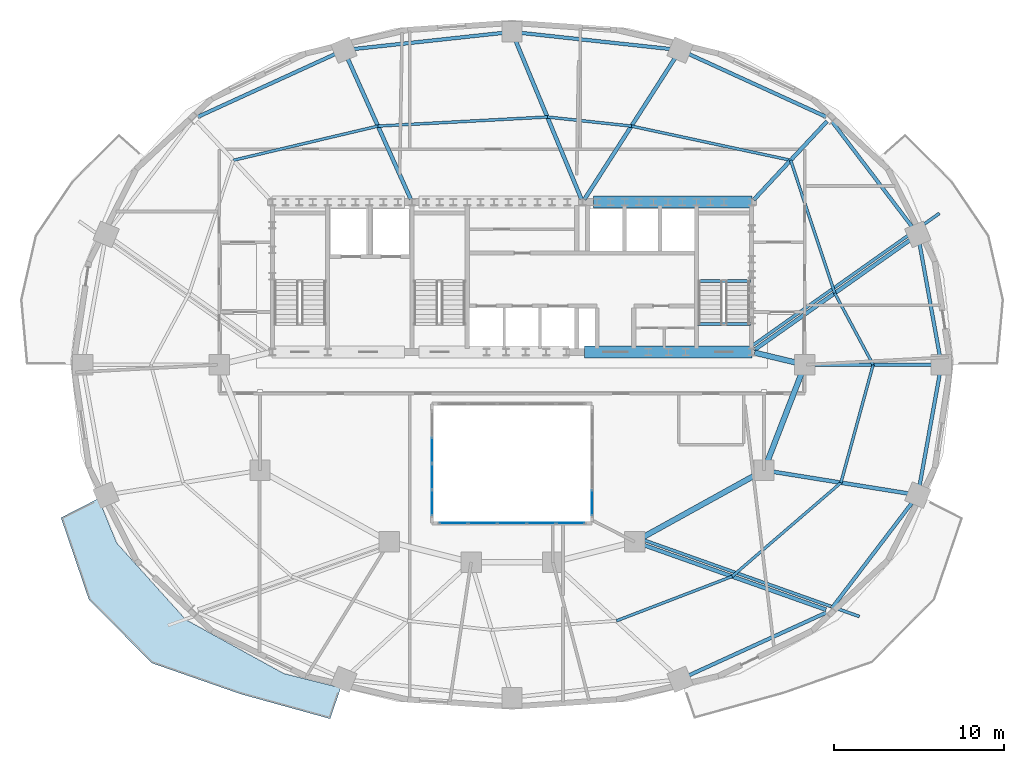
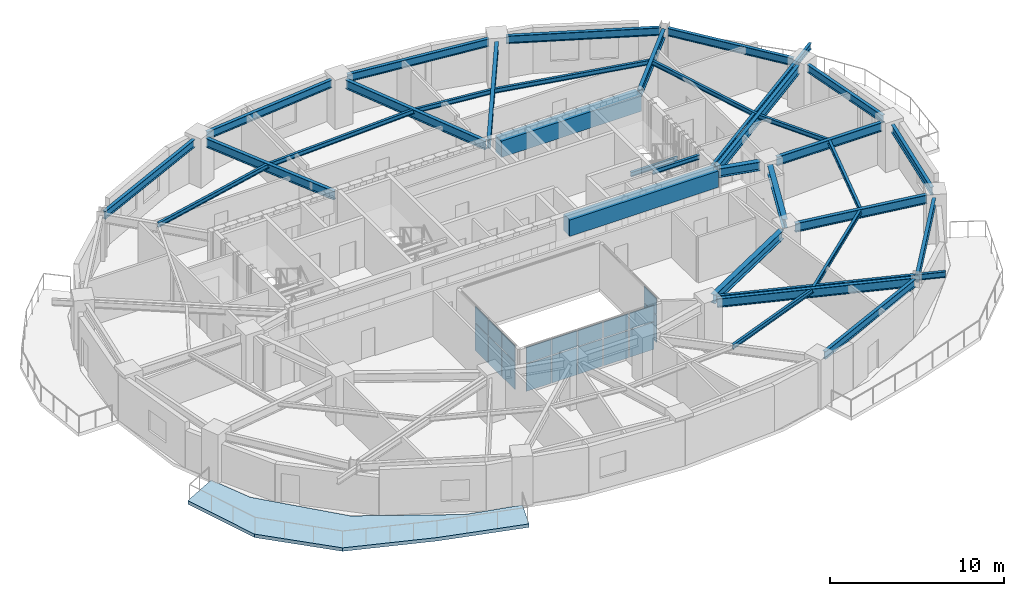
# One storey, part 4 of 11: 35 beams, 18 plates, 1 slab, 3 elements without a shape of their own.
"""IFC4 building model written with IfcOpenShell, lengths in metres."""

import ifcopenshell
import ifcopenshell.guid

model = None  # the IFC model being written
_history = None  # IfcOwnerHistory: only IFC2X3 demands one
_inside = {}  # id of a spatial element -> (the spatial element, [elements in it])
_under = {}  # id of a project, library or spatial element -> (it, [spatial elements below it])
_declared = {}  # id of a project -> (the project, [libraries it declares])
_typed = {}  # id of a type object -> (the type object, [elements of that type])
_made_of = {}  # id of a material, layer set ... -> (it, [elements and type objects made of it])


def new_model(schema):
    """Start an empty IFC model of exactly this schema.

    Asked for "IFC4X3", IfcOpenShell would pick the latest addendum, in which some entities
    have other attributes; the version numbers below select the first issue.
    IFC2X3 requires an IfcOwnerHistory on every rooted entity: one is made here for all.
    """
    global model, _history
    if schema == "IFC4X3":
        model = ifcopenshell.file(schema_version=(4, 3, 0, 0))
    else:
        model = ifcopenshell.file(schema=schema)
    _inside.clear()
    _under.clear()
    _declared.clear()
    _typed.clear()
    _made_of.clear()
    _history = None
    if model.schema == "IFC2X3":
        org = make("IfcOrganization", Name="unknown")
        user = make(
            "IfcPersonAndOrganization",
            ThePerson=make("IfcPerson", FamilyName="unknown"),
            TheOrganization=org,
        )
        app = make(
            "IfcApplication",
            ApplicationDeveloper=org,
            Version="unknown",
            ApplicationFullName="unknown",
            ApplicationIdentifier="unknown",
        )
        _history = make(
            "IfcOwnerHistory",
            OwningUser=user,
            OwningApplication=app,
            ChangeAction="ADDED",
            CreationDate=0,
        )
    return model


def make(cls, **values):
    """One entity of the class cls with the attributes given. An attribute that is None is left unset."""
    return model.create_entity(
        cls, **{name: value for name, value in values.items() if value is not None}
    )


def rooted(cls, **values):
    """An entity with a GlobalId (a new one), such as an element, a storey or a relation."""
    return make(cls, GlobalId=ifcopenshell.guid.new(), OwnerHistory=_history, **values)


def si_unit(unit_type, name, prefix=None):
    """IfcSIUnit, for example si_unit("LENGTHUNIT", "METRE", prefix="MILLI")."""
    return make("IfcSIUnit", UnitType=unit_type, Prefix=prefix, Name=name)


def assignment(units):
    """IfcUnitAssignment: the units of a project."""
    return None if units is None else make("IfcUnitAssignment", Units=units)


def point(xyz):
    """IfcCartesianPoint."""
    return None if xyz is None else make("IfcCartesianPoint", Coordinates=xyz)


def direction(xyz):
    """IfcDirection."""
    return None if xyz is None else make("IfcDirection", DirectionRatios=xyz)


def frame(location, z_axis=None, x_axis=None):
    """IfcAxis2Placement3D, a coordinate frame: its origin and axes. An axis left out is left unset."""
    return make(
        "IfcAxis2Placement3D",
        Location=point(location),
        Axis=direction(z_axis),
        RefDirection=direction(x_axis),
    )


def frame_2d(location, x_axis=None):
    """IfcAxis2Placement2D, a coordinate frame in the plane: its origin and x axis."""
    return make(
        "IfcAxis2Placement2D", Location=point(location), RefDirection=direction(x_axis)
    )


def origin():
    """The frame at (0, 0, 0) with its axes left unset."""
    return frame((0.0, 0.0, 0.0))


def origin_2d():
    """The frame at (0, 0) in the plane with its x axis left unset."""
    return frame_2d((0.0, 0.0))


def place(relative_to, where):
    """IfcLocalPlacement: puts the frame where relative to a parent placement (None: the world)."""
    return make(
        "IfcLocalPlacement", PlacementRelTo=relative_to, RelativePlacement=where
    )


def context(
    kind, dimensions, precision=None, world=None, true_north=None, identifier=None
):
    """IfcGeometricRepresentationContext, for example the 3D "Model" context."""
    return make(
        "IfcGeometricRepresentationContext",
        ContextIdentifier=identifier,
        ContextType=kind,
        CoordinateSpaceDimension=dimensions,
        Precision=precision,
        WorldCoordinateSystem=world,
        TrueNorth=true_north,
    )


def subcontext(parent, identifier, kind, view, scale=None):
    """IfcGeometricRepresentationSubContext, for example "Body" below "Model"."""
    return make(
        "IfcGeometricRepresentationSubContext",
        ContextIdentifier=identifier,
        ContextType=kind,
        ParentContext=parent,
        TargetScale=scale,
        TargetView=view,
    )


def project(units=None, contexts=None):
    """IfcProject with its units and contexts."""
    return rooted(
        "IfcProject",
        Name="project",
        RepresentationContexts=contexts,
        UnitsInContext=assignment(units),
    )


def spatial(cls, under=None, at=None, **own):
    """A site, building, storey or space (cls), placed at a placement, below another one or the project."""
    s = rooted(cls, ObjectPlacement=at, **own)
    if under is not None:
        _under.setdefault(under.id(), (under, []))[1].append(s)
    return s


def polyline(points):
    """IfcPolyline through the points."""
    return make("IfcPolyline", Points=[point(p) for p in points])


def profile(cls, at=None, kind="AREA", **sizes):
    """A parametric profile (cls). Its sizes go by their IFC names, for example OverallWidth=200.0."""
    return make(cls, ProfileType=kind, Position=at, **sizes)


def rectangle(**sizes):
    """IfcRectangleProfileDef."""
    return profile("IfcRectangleProfileDef", **sizes)


def i_section(**sizes):
    """IfcIShapeProfileDef."""
    return profile("IfcIShapeProfileDef", **sizes)


def outline(outer, holes=None, kind="AREA"):
    """IfcArbitraryClosedProfileDef: a profile drawn as a closed curve; with holes, ...WithVoids."""
    if holes is None:
        return make("IfcArbitraryClosedProfileDef", ProfileType=kind, OuterCurve=outer)
    return make(
        "IfcArbitraryProfileDefWithVoids",
        ProfileType=kind,
        OuterCurve=outer,
        InnerCurves=holes,
    )


def extrude(swept, where, along, depth):
    """IfcExtrudedAreaSolid: the profile swept, set in the frame where, extruded along a direction by depth."""
    return make(
        "IfcExtrudedAreaSolid",
        SweptArea=swept,
        Position=where,
        ExtrudedDirection=direction(along),
        Depth=depth,
    )


def shape(context_of_items, identifier, shape_type, items):
    """IfcShapeRepresentation: the items that make up one representation, for example the "Body"."""
    return make(
        "IfcShapeRepresentation",
        ContextOfItems=context_of_items,
        RepresentationIdentifier=identifier,
        RepresentationType=shape_type,
        Items=items,
    )


def material(Name=None, Category=None):
    """IfcMaterial."""
    return make("IfcMaterial", Name=Name, Category=Category)


def layer(
    of_material, thickness, ventilated=None, Name=None, Category=None, Priority=None
):
    """IfcMaterialLayer: one layer of a wall or slab, of a material (None: an air gap)."""
    return make(
        "IfcMaterialLayer",
        Material=of_material,
        LayerThickness=thickness,
        IsVentilated=ventilated,
        Name=Name,
        Category=Category,
        Priority=Priority,
    )


def layer_set(layers, Name=None):
    """IfcMaterialLayerSet."""
    return make("IfcMaterialLayerSet", MaterialLayers=layers, LayerSetName=Name)


def material_profile(
    of_material, cross_section, Name=None, Category=None, Priority=None
):
    """IfcMaterialProfile: a cross section and its material."""
    return make(
        "IfcMaterialProfile",
        Name=Name,
        Material=of_material,
        Profile=cross_section,
        Priority=Priority,
        Category=Category,
    )


def profile_set(profiles, Name=None, composite=None):
    """IfcMaterialProfileSet."""
    return make(
        "IfcMaterialProfileSet",
        Name=Name,
        MaterialProfiles=profiles,
        CompositeProfile=composite,
    )


def made_of(thing, what):
    """Note that an element or type object is made of a material, layer set ...; save() writes the relation."""
    if what is not None:
        _made_of.setdefault(what.id(), (what, []))[1].append(thing)
    return thing


def type_object(cls, material=None, **own):
    """A type object (cls), such as IfcWallType, which elements share."""
    return made_of(rooted(cls, **own), material)


def element(
    cls,
    number,
    at=None,
    inside=None,
    cuts=None,
    type_object=None,
    material=None,
    context=None,
    identifier="Body",
    shape_type=None,
    held_by="IfcProductDefinitionShape",
    body=None,
    shapes=None,
    **own,
):
    """One element of the class cls, such as IfcWall. Its Tag is "e" and its number.

    at: its placement. inside: the storey or other place that contains it. cuts: it is an
    opening in that element (IfcRelVoidsElement). A single representation is given by context,
    identifier, shape_type and body (its items); several are given by shapes. held_by: the class
    of the entity that holds the representations. save() writes the other relations.
    """
    e = rooted(cls, Tag="e%d" % number, ObjectPlacement=at, **own)
    if body is not None:
        shapes = [shape(context, identifier, shape_type, body)]
    if shapes is not None:
        e.Representation = make(held_by, Representations=shapes)
    if inside is not None:
        _inside.setdefault(inside.id(), (inside, []))[1].append(e)
    if cuts is not None:
        rooted(
            "IfcRelVoidsElement", RelatingBuildingElement=cuts, RelatedOpeningElement=e
        )
    if type_object is not None:
        _typed.setdefault(type_object.id(), (type_object, []))[1].append(e)
    return made_of(e, material)


def aggregate(whole, parts):
    """IfcRelAggregates: a whole, such as a stair, and the parts it consists of."""
    return rooted("IfcRelAggregates", RelatingObject=whole, RelatedObjects=parts)


def save(model, path):
    """Write the relations noted so far, then the file.

    IfcRelAggregates (storeys below a building ...), IfcRelContainedInSpatialStructure (elements
    in a storey), IfcRelDefinesByType, IfcRelAssociatesMaterial and IfcRelDeclares: one each for
    every whole, place, type object, material and project.
    """
    for whole, parts in _under.values():
        aggregate(whole, parts)
    for where, things in _inside.values():
        rooted(
            "IfcRelContainedInSpatialStructure",
            RelatedElements=things,
            RelatingStructure=where,
        )
    for kind, things in _typed.values():
        rooted("IfcRelDefinesByType", RelatedObjects=things, RelatingType=kind)
    for what, things in _made_of.values():
        rooted("IfcRelAssociatesMaterial", RelatedObjects=things, RelatingMaterial=what)
    for by, libraries in _declared.values():
        rooted("IfcRelDeclares", RelatingContext=by, RelatedDefinitions=libraries)
    model.write(path)


model = new_model("IFC4")

# Units and contexts
model_context = context("Model", 3, precision=1e-05, world=origin(), true_north=direction((0.0, 1.0)))
body_context = subcontext(model_context, "Body", "Model", "MODEL_VIEW")
ifc_project = project(units=[si_unit("LENGTHUNIT", "METRE"), si_unit("AREAUNIT", "SQUARE_METRE"), si_unit("VOLUMEUNIT", "CUBIC_METRE"), si_unit("PLANEANGLEUNIT", "RADIAN"), si_unit("MASSUNIT", "GRAM", prefix="KILO")], contexts=[model_context])

# Site, building, storey
site_placement = place(None, origin())
site = spatial("IfcSite", under=ifc_project, at=site_placement, CompositionType="ELEMENT")
building_placement = place(site_placement, origin())
building = spatial("IfcBuilding", under=site, at=building_placement, Name="Haldorwick Loom Tower", CompositionType="ELEMENT")
storey_placement = place(building_placement, frame((0.0, 0.0, 168.25)))
storey = spatial("IfcBuildingStorey", under=building, at=storey_placement, Name="L45", CompositionType="ELEMENT", Elevation=168.25)

# Beams
ifc_material_1 = material(Name="Steel CSA G40.21 350W", Category="steel")
ifc_material_profile_1 = material_profile(ifc_material_1, i_section(OverallWidth=0.179931640625, OverallDepth=0.4130859375, WebThickness=0.009765625, FlangeThickness=0.01611328125, at=origin_2d()), Name="W410X74", Category="steel")
ifc_profile_set_1 = profile_set([ifc_material_profile_1], Name="Steel CSA G40.21 350W")
beam_type_1 = type_object("IfcBeamType", Name="STR-BM-BAL410", PredefinedType="BEAM", material=ifc_profile_set_1)
beam_1_placement = place(storey_placement, frame((43.78369140625, 15.68994140625, 3.00341796875), z_axis=(0.942447955832, -0.334352883266, 0.0), x_axis=(0.334352883266, 0.942447955832, 0.0)))
element("IfcBeam", 1, at=beam_1_placement, inside=storey, type_object=beam_type_1, Name="L45 Continuous Back-Spanned Balcony Beam 1", PredefinedType="BEAM", context=body_context, shape_type="SweptSolid", body=[
    extrude(i_section(OverallWidth=0.179931640625, OverallDepth=0.4130859375, WebThickness=0.009765625, FlangeThickness=0.01611328125, at=origin_2d()), origin(), (0.0, 0.0, 1.0), 13.385009765625),
])
beam_2_placement = place(storey_placement, frame((50.0537109375, 27.081298828125, 3.00341796875), z_axis=(0.816570167076, 0.57724618859, 0.0), x_axis=(-0.57724618859, 0.816570167076, 0.0)))
element("IfcBeam", 2, at=beam_2_placement, inside=storey, type_object=beam_type_1, Name="L45 Continuous Back-Spanned Balcony Beam 4", PredefinedType="BEAM", context=body_context, shape_type="SweptSolid", body=[
    extrude(i_section(OverallWidth=0.179931640625, OverallDepth=0.4130859375, WebThickness=0.009765625, FlangeThickness=0.01611328125, at=origin_2d()), origin(), (0.0, 0.0, 1.0), 13.531982421875),
])
ifc_material_2 = material(Name="Concrete C60 (60 MPa)", Category="concrete")
ifc_material_profile_2 = material_profile(ifc_material_2, rectangle(XDim=0.699951171875, YDim=1.14990234375, at=origin_2d()), Name="RC700X1150", Category="concrete")
ifc_profile_set_2 = profile_set([ifc_material_profile_2], Name="Concrete C60 (60 MPa)")
beam_type_2 = type_object("IfcBeamType", Name="STR-BM-CB1150", PredefinedType="LINTEL", material=ifc_profile_set_2)
beam_3_placement = place(storey_placement, frame((40.800048828125, 35.550048828125, 2.635009765625), z_axis=(1.0, 0.0, 0.0), x_axis=(0.0, 1.0, 0.0)))
element("IfcBeam", 3, at=beam_3_placement, inside=storey, type_object=beam_type_2, Name="L45 Core Coupling Beam CB-N3", PredefinedType="LINTEL", context=body_context, shape_type="SweptSolid", body=[
    extrude(rectangle(XDim=0.699951171875, YDim=1.14990234375, at=origin_2d()), origin(), (0.0, 0.0, 1.0), 9.300048828125),
])
beam_4_placement = place(storey_placement, frame((40.25, 26.75, 2.635009765625), z_axis=(1.0, 0.0, 0.0), x_axis=(0.0, 1.0, 0.0)))
element("IfcBeam", 4, at=beam_4_placement, inside=storey, type_object=beam_type_2, Name="L45 Core Coupling Beam CB-S3", PredefinedType="LINTEL", context=body_context, shape_type="SweptSolid", body=[
    extrude(rectangle(XDim=0.699951171875, YDim=1.14990234375, at=origin_2d()), origin(), (0.0, 0.0, 1.0), 9.85009765625),
])
ifc_material_profile_3 = material_profile(ifc_material_1, i_section(OverallWidth=0.166015625, OverallDepth=0.31298828125, WebThickness=0.006591796875, FlangeThickness=0.01123046875, at=origin_2d()), Name="W310X45", Category="steel")
ifc_profile_set_3 = profile_set([ifc_material_profile_3], Name="Steel CSA G40.21 350W")
beam_type_3 = type_object("IfcBeamType", Name="STR-BM-J310", PredefinedType="JOIST", material=ifc_profile_set_3)
beam_5_placement = place(storey_placement, frame((57.20849609375, 26.0, 3.053466796875), z_axis=(-0.472930162238, 0.881099915813, 0.0), x_axis=(-0.881099915813, -0.472930162238, 0.0)))
element("IfcBeam", 5, at=beam_5_placement, inside=storey, type_object=beam_type_3, Name="L45 Mid-Bay Secondary Joist 1", PredefinedType="JOIST", context=body_context, shape_type="SweptSolid", body=[
    extrude(i_section(OverallWidth=0.166015625, OverallDepth=0.31298828125, WebThickness=0.006591796875, FlangeThickness=0.01123046875, at=origin_2d()), origin(), (0.0, 0.0, 1.0), 4.76904296875),
])
beam_6_placement = place(storey_placement, frame((54.953125, 30.201904296875, 3.053466796875), z_axis=(-0.314980632705, 0.949098098734, 0.0), x_axis=(-0.949098098734, -0.314980632705, 0.0)))
element("IfcBeam", 6, at=beam_6_placement, inside=storey, type_object=beam_type_3, Name="L45 Mid-Bay Secondary Joist 2", PredefinedType="JOIST", context=body_context, shape_type="SweptSolid", body=[
    extrude(i_section(OverallWidth=0.166015625, OverallDepth=0.31298828125, WebThickness=0.006591796875, FlangeThickness=0.01123046875, at=origin_2d()), origin(), (0.0, 0.0, 1.0), 8.223876953125),
])
beam_7_placement = place(storey_placement, frame((52.36279296875, 38.007080078125, 3.053466796875), z_axis=(-0.977737366421, 0.209832414808, 0.0), x_axis=(-0.209832414808, -0.977737366421, 0.0)))
element("IfcBeam", 7, at=beam_7_placement, inside=storey, type_object=beam_type_3, Name="L45 Mid-Bay Secondary Joist 3", PredefinedType="JOIST", context=body_context, shape_type="SweptSolid", body=[
    extrude(i_section(OverallWidth=0.166015625, OverallDepth=0.31298828125, WebThickness=0.006591796875, FlangeThickness=0.01123046875, at=origin_2d()), origin(), (0.0, 0.0, 1.0), 9.56396484375),
])
beam_8_placement = place(storey_placement, frame((43.01171875, 40.013916015625, 3.053466796875), z_axis=(-0.994212584227, 0.107430616514, 0.0), x_axis=(-0.107430616514, -0.994212584227, 0.0)))
element("IfcBeam", 8, at=beam_8_placement, inside=storey, type_object=beam_type_3, Name="L45 Mid-Bay Secondary Joist 4", PredefinedType="JOIST", context=body_context, shape_type="SweptSolid", body=[
    extrude(i_section(OverallWidth=0.166015625, OverallDepth=0.31298828125, WebThickness=0.006591796875, FlangeThickness=0.01123046875, at=origin_2d()), origin(), (0.0, 0.0, 1.0), 4.965576171875),
])
beam_9_placement = place(storey_placement, frame((38.074951171875, 40.54736328125, 3.053466796875), z_axis=(-0.998564927415, -0.053554511828, 0.0), x_axis=(0.053554511828, -0.998564927415, 0.0)))
element("IfcBeam", 9, at=beam_9_placement, inside=storey, type_object=beam_type_3, Name="L45 Mid-Bay Secondary Joist 5", PredefinedType="JOIST", context=body_context, shape_type="SweptSolid", body=[
    extrude(i_section(OverallWidth=0.166015625, OverallDepth=0.31298828125, WebThickness=0.006591796875, FlangeThickness=0.01123046875, at=origin_2d()), origin(), (0.0, 0.0, 1.0), 9.9609375),
])
beam_10_placement = place(storey_placement, frame((28.12841796875, 40.013916015625, 3.053466796875), z_axis=(-0.973189168086, -0.230006180612, 0.0), x_axis=(0.230006180612, -0.973189168086, 0.0)))
element("IfcBeam", 10, at=beam_10_placement, inside=storey, type_object=beam_type_3, Name="L45 Mid-Bay Secondary Joist 6", PredefinedType="JOIST", context=body_context, shape_type="SweptSolid", body=[
    extrude(i_section(OverallWidth=0.166015625, OverallDepth=0.31298828125, WebThickness=0.006591796875, FlangeThickness=0.01123046875, at=origin_2d()), origin(), (0.0, 0.0, 1.0), 8.72509765625),
])
beam_11_placement = place(storey_placement, frame((42.13671875, 10.961181640625, 3.053466796875), z_axis=(0.933586737031, 0.358351509609, 0.0), x_axis=(-0.358351509609, 0.933586737031, 0.0)))
element("IfcBeam", 11, at=beam_11_placement, inside=storey, type_object=beam_type_3, Name="L45 Mid-Bay Secondary Joist 14", PredefinedType="JOIST", context=body_context, shape_type="SweptSolid", body=[
    extrude(i_section(OverallWidth=0.166015625, OverallDepth=0.31298828125, WebThickness=0.006591796875, FlangeThickness=0.01123046875, at=origin_2d()), origin(), (0.0, 0.0, 1.0), 7.274169921875),
])
beam_12_placement = place(storey_placement, frame((48.927734375, 13.56787109375, 3.053466796875), z_axis=(0.75763401328, 0.652679631918, 0.0), x_axis=(-0.652679631918, 0.75763401328, 0.0)))
element("IfcBeam", 12, at=beam_12_placement, inside=storey, type_object=beam_type_3, Name="L45 Mid-Bay Secondary Joist 15", PredefinedType="JOIST", context=body_context, shape_type="SweptSolid", body=[
    extrude(i_section(OverallWidth=0.166015625, OverallDepth=0.31298828125, WebThickness=0.006591796875, FlangeThickness=0.01123046875, at=origin_2d()), origin(), (0.0, 0.0, 1.0), 8.4345703125),
])
beam_13_placement = place(storey_placement, frame((55.318115234375, 19.072998046875, 3.053466796875), z_axis=(0.263272762578, 0.964721437766, 0.0), x_axis=(-0.964721437766, 0.263272762578, 0.0)))
element("IfcBeam", 13, at=beam_13_placement, inside=storey, type_object=beam_type_3, Name="L45 Mid-Bay Secondary Joist 16", PredefinedType="JOIST", context=body_context, shape_type="SweptSolid", body=[
    extrude(i_section(OverallWidth=0.166015625, OverallDepth=0.31298828125, WebThickness=0.006591796875, FlangeThickness=0.01123046875, at=origin_2d()), origin(), (0.0, 0.0, 1.0), 7.180419921875),
])
ifc_material_profile_4 = material_profile(ifc_material_1, i_section(OverallWidth=0.2119140625, OverallDepth=0.5439453125, WebThickness=0.01318359375, FlangeThickness=0.021240234375, at=origin_2d()), Name="W530X123", Category="steel")
ifc_profile_set_4 = profile_set([ifc_material_profile_4], Name="Steel CSA G40.21 350W")
beam_type_4 = type_object("IfcBeamType", Name="STR-BM-SP530", PredefinedType="SPANDREL", material=ifc_profile_set_4)
beam_14_placement = place(storey_placement, frame((61.124755859375, 26.51171875, 2.93798828125), z_axis=(-0.177558730702, 0.984110205796, 0.0), x_axis=(-0.984110205796, -0.177558730702, 0.0)))
element("IfcBeam", 14, at=beam_14_placement, inside=storey, type_object=beam_type_4, Name="L45 Perimeter Spandrel 1", PredefinedType="SPANDREL", context=body_context, shape_type="SweptSolid", body=[
    extrude(i_section(OverallWidth=0.2119140625, OverallDepth=0.5439453125, WebThickness=0.01318359375, FlangeThickness=0.021240234375, at=origin_2d()), origin(), (0.0, 0.0, 1.0), 6.737548828125),
])
beam_15_placement = place(storey_placement, frame((59.521240234375, 34.067626953125, 2.93798828125), z_axis=(-0.605421569293, 0.79590497136, 0.0), x_axis=(-0.79590497136, -0.605421569293, 0.0)))
element("IfcBeam", 15, at=beam_15_placement, inside=storey, type_object=beam_type_4, Name="L45 Perimeter Spandrel 2", PredefinedType="SPANDREL", context=body_context, shape_type="SweptSolid", body=[
    extrude(i_section(OverallWidth=0.2119140625, OverallDepth=0.5439453125, WebThickness=0.01318359375, FlangeThickness=0.021240234375, at=origin_2d()), origin(), (0.0, 0.0, 1.0), 7.81201171875),
])
beam_16_placement = place(storey_placement, frame((54.450927734375, 40.5576171875, 2.93798828125), z_axis=(-0.909523899848, 0.415651627695, 0.0), x_axis=(-0.415651627695, -0.909523899848, 0.0)))
element("IfcBeam", 16, at=beam_16_placement, inside=storey, type_object=beam_type_4, Name="L45 Perimeter Spandrel 3", PredefinedType="SPANDREL", context=body_context, shape_type="SweptSolid", body=[
    extrude(i_section(OverallWidth=0.2119140625, OverallDepth=0.5439453125, WebThickness=0.01318359375, FlangeThickness=0.021240234375, at=origin_2d()), origin(), (0.0, 0.0, 1.0), 8.910888671875),
])
for number, where, z_axis, x_axis, name in (
    (17, (45.356201171875, 44.533447265625, 2.93798828125), (-0.994210140187, 0.107453232386, 0.0), (-0.107453232386, -0.994210140187, 0.0), "L45 Perimeter Spandrel 4"),
    (18, (35.48291015625, 45.48876953125, 2.93798828125), (-0.994210140187, -0.107453232386, 0.0), (0.107453232386, -0.994210140187, 0.0), "L45 Perimeter Spandrel 5"),
):
    element("IfcBeam", number, at=place(storey_placement, frame(where, z_axis=z_axis, x_axis=x_axis)), inside=storey, type_object=beam_type_4, Name=name, PredefinedType="SPANDREL", context=body_context, shape_type="SweptSolid", body=[
        extrude(i_section(OverallWidth=0.2119140625, OverallDepth=0.5439453125, WebThickness=0.01318359375, FlangeThickness=0.021240234375, at=origin_2d()), origin(), (0.0, 0.0, 1.0), 8.890625),
    ])
for number, where, z_axis, x_axis, name in (
    (19, (25.65380859375, 44.261474609375, 2.93798828125), (-0.909523899848, -0.415651627695, 0.0), (0.415651627695, -0.909523899848, 0.0), "L45 Perimeter Spandrel 6"),
    (20, (46.34619140625, 7.738525390625, 2.93798828125), (0.909523899848, 0.415651627695, 0.0), (-0.415651627695, 0.909523899848, 0.0), "L45 Perimeter Spandrel 14"),
):
    element("IfcBeam", number, at=place(storey_placement, frame(where, z_axis=z_axis, x_axis=x_axis)), inside=storey, type_object=beam_type_4, Name=name, PredefinedType="SPANDREL", context=body_context, shape_type="SweptSolid", body=[
        extrude(i_section(OverallWidth=0.2119140625, OverallDepth=0.5439453125, WebThickness=0.01318359375, FlangeThickness=0.021240234375, at=origin_2d()), origin(), (0.0, 0.0, 1.0), 8.910888671875),
    ])
beam_17_placement = place(storey_placement, frame((54.791748046875, 11.71484375, 2.93798828125), z_axis=(0.605421569293, 0.79590497136, 0.0), x_axis=(-0.79590497136, 0.605421569293, 0.0)))
element("IfcBeam", 21, at=beam_17_placement, inside=storey, type_object=beam_type_4, Name="L45 Perimeter Spandrel 15", PredefinedType="SPANDREL", context=body_context, shape_type="SweptSolid", body=[
    extrude(i_section(OverallWidth=0.2119140625, OverallDepth=0.5439453125, WebThickness=0.01318359375, FlangeThickness=0.021240234375, at=origin_2d()), origin(), (0.0, 0.0, 1.0), 7.81201171875),
])
beam_18_placement = place(storey_placement, frame((59.928466796875, 18.85791015625, 2.93798828125), z_axis=(0.177558730702, 0.984110205796, 0.0), x_axis=(-0.984110205796, 0.177558730702, 0.0)))
element("IfcBeam", 22, at=beam_18_placement, inside=storey, type_object=beam_type_4, Name="L45 Perimeter Spandrel 16", PredefinedType="SPANDREL", context=body_context, shape_type="SweptSolid", body=[
    extrude(i_section(OverallWidth=0.2119140625, OverallDepth=0.5439453125, WebThickness=0.01318359375, FlangeThickness=0.021240234375, at=origin_2d()), origin(), (0.0, 0.0, 1.0), 6.737548828125),
])
ifc_material_profile_5 = material_profile(ifc_material_1, i_section(OverallWidth=0.166015625, OverallDepth=0.31298828125, WebThickness=0.006591796875, FlangeThickness=0.01123046875, at=origin_2d()), Name="W310X45", Category="steel")
ifc_profile_set_5 = profile_set([ifc_material_profile_5], Name="Steel CSA G40.21 350W")
beam_type_5 = type_object("IfcBeamType", Name="STR-BM-STRM", PredefinedType="BEAM", material=ifc_profile_set_5)
for number, where, z_axis, x_axis, name in (
    (23, (46.889892578125, 28.39990234375, 3.053466796875), (1.0, 0.0, 0.0), (0.0, 1.0, 0.0), "L45 Stair ST-02 Landing Edge Trimmer"),
    (24, (46.889892578125, 30.919921875, 1.368408203125), (1.0, 0.0, 0.0), (0.0, 1.0, 0.0), "L45 Stair ST-02 Half-Landing Trimmer 1"),
):
    element("IfcBeam", number, at=place(storey_placement, frame(where, z_axis=z_axis, x_axis=x_axis)), inside=storey, type_object=beam_type_5, Name=name, PredefinedType="BEAM", context=body_context, shape_type="SweptSolid", body=[
        extrude(i_section(OverallWidth=0.166015625, OverallDepth=0.31298828125, WebThickness=0.006591796875, FlangeThickness=0.01123046875, at=origin_2d()), origin(), (0.0, 0.0, 1.0), 3.1201171875),
    ])
ifc_material_profile_6 = material_profile(ifc_material_1, i_section(OverallWidth=0.324951171875, OverallDepth=0.615966796875, WebThickness=0.013916015625, FlangeThickness=0.021484375, at=origin_2d()), Name="W610X174", Category="steel")
ifc_profile_set_6 = profile_set([ifc_material_profile_6], Name="Steel CSA G40.21 350W")
beam_type_6 = type_object("IfcBeamType", Name="STR-BM-W610A", PredefinedType="BEAM", material=ifc_profile_set_6)
beam_19_placement = place(storey_placement, frame((50.2431640625, 26.70849609375, 2.902099609375), z_axis=(0.97246637463, -0.233043236789, 0.0), x_axis=(0.233043236789, 0.97246637463, 0.0)))
element("IfcBeam", 25, at=beam_19_placement, inside=storey, type_object=beam_type_6, Name="L45 Inner Ring Girder 1", PredefinedType="BEAM", context=body_context, shape_type="SweptSolid", body=[
    extrude(i_section(OverallWidth=0.324951171875, OverallDepth=0.615966796875, WebThickness=0.013916015625, FlangeThickness=0.021484375, at=origin_2d()), origin(), (0.0, 0.0, 1.0), 2.5205078125),
])
beam_20_placement = place(storey_placement, frame((53.01220703125, 25.51513671875, 2.902099609375), z_axis=(-0.360964792353, -0.93257944363, 0.0), x_axis=(0.93257944363, -0.360964792353, 0.0)))
element("IfcBeam", 26, at=beam_20_placement, inside=storey, type_object=beam_type_6, Name="L45 Inner Ring Girder 2", PredefinedType="BEAM", context=body_context, shape_type="SweptSolid", body=[
    extrude(i_section(OverallWidth=0.324951171875, OverallDepth=0.615966796875, WebThickness=0.013916015625, FlangeThickness=0.021484375, at=origin_2d()), origin(), (0.0, 0.0, 1.0), 5.6083984375),
])
beam_21_placement = place(storey_placement, frame((50.344970703125, 19.548583984375, 2.902099609375), z_axis=(-0.875244382146, -0.483680960471, 0.0), x_axis=(0.483680960471, -0.875244382146, 0.0)))
element("IfcBeam", 27, at=beam_21_placement, inside=storey, type_object=beam_type_6, Name="L45 Inner Ring Girder 3", PredefinedType="BEAM", context=body_context, shape_type="SweptSolid", body=[
    extrude(i_section(OverallWidth=0.324951171875, OverallDepth=0.615966796875, WebThickness=0.013916015625, FlangeThickness=0.021484375, at=origin_2d()), origin(), (0.0, 0.0, 1.0), 7.6435546875),
])
ifc_material_profile_7 = material_profile(ifc_material_1, i_section(OverallWidth=0.22998046875, OverallDepth=0.616943359375, WebThickness=0.01318359375, FlangeThickness=0.022216796875, at=origin_2d()), Name="W610X140", Category="steel")
ifc_profile_set_7 = profile_set([ifc_material_profile_7], Name="Steel CSA G40.21 350W")
beam_type_7 = type_object("IfcBeamType", Name="STR-BM-W610B", PredefinedType="BEAM", material=ifc_profile_set_7)
beam_22_placement = place(storey_placement, frame((53.719970703125, 26.0, 2.901611328125), z_axis=(1.0, 0.0, 0.0), x_axis=(0.0, 1.0, 0.0)))
element("IfcBeam", 28, at=beam_22_placement, inside=storey, type_object=beam_type_7, Name="L45 Radial Floor Girder 1", PredefinedType="BEAM", context=body_context, shape_type="SweptSolid", body=[
    extrude(i_section(OverallWidth=0.22998046875, OverallDepth=0.616943359375, WebThickness=0.01318359375, FlangeThickness=0.022216796875, at=origin_2d()), origin(), (0.0, 0.0, 1.0), 6.97705078125),
])
beam_23_placement = place(storey_placement, frame((50.21533203125, 26.852783203125, 2.901611328125), z_axis=(0.816581374163, 0.577230334763, 0.0), x_axis=(-0.577230334763, 0.816581374163, 0.0)))
element("IfcBeam", 29, at=beam_23_placement, inside=storey, type_object=beam_type_7, Name="L45 Radial Floor Girder 2", PredefinedType="BEAM", context=body_context, shape_type="SweptSolid", body=[
    extrude(i_section(OverallWidth=0.22998046875, OverallDepth=0.616943359375, WebThickness=0.01318359375, FlangeThickness=0.022216796875, at=origin_2d()), origin(), (0.0, 0.0, 1.0), 11.261962890625),
])
beam_24_placement = place(storey_placement, frame((50.19140625, 35.68017578125, 2.901611328125), z_axis=(0.682245282958, 0.731123364339, 0.0), x_axis=(-0.731123364339, 0.682245282958, 0.0)))
element("IfcBeam", 30, at=beam_24_placement, inside=storey, type_object=beam_type_7, Name="L45 Radial Floor Girder 3", PredefinedType="BEAM", context=body_context, shape_type="SweptSolid", body=[
    extrude(i_section(OverallWidth=0.22998046875, OverallDepth=0.616943359375, WebThickness=0.01318359375, FlangeThickness=0.022216796875, at=origin_2d()), origin(), (0.0, 0.0, 1.0), 6.318603515625),
])
beam_25_placement = place(storey_placement, frame((40.24609375, 35.699951171875, 2.901611328125), z_axis=(0.539693434869, 0.841861625423, 0.0), x_axis=(-0.841861625423, 0.539693434869, 0.0)))
element("IfcBeam", 31, at=beam_25_placement, inside=storey, type_object=beam_type_7, Name="L45 Radial Floor Girder 4", PredefinedType="BEAM", context=body_context, shape_type="SweptSolid", body=[
    extrude(i_section(OverallWidth=0.22998046875, OverallDepth=0.616943359375, WebThickness=0.01318359375, FlangeThickness=0.022216796875, at=origin_2d()), origin(), (0.0, 0.0, 1.0), 9.906494140625),
])
beam_26_placement = place(storey_placement, frame((40.081787109375, 35.71435546875, 2.901611328125), z_axis=(-0.383474700215, 0.923551381513, 0.0), x_axis=(-0.923551381513, -0.383474700215, 0.0)))
element("IfcBeam", 32, at=beam_26_placement, inside=storey, type_object=beam_type_7, Name="L45 Radial Floor Girder 5", PredefinedType="BEAM", context=body_context, shape_type="SweptSolid", body=[
    extrude(i_section(OverallWidth=0.22998046875, OverallDepth=0.616943359375, WebThickness=0.01318359375, FlangeThickness=0.022216796875, at=origin_2d()), origin(), (0.0, 0.0, 1.0), 10.1240234375),
])
beam_27_placement = place(storey_placement, frame((30.05712890625, 35.71240234375, 2.901611328125), z_axis=(-0.409145396953, 0.912469201755, 0.0), x_axis=(-0.912469201755, -0.409145396953, 0.0)))
element("IfcBeam", 33, at=beam_27_placement, inside=storey, type_object=beam_type_7, Name="L45 Radial Floor Girder 6", PredefinedType="BEAM", context=body_context, shape_type="SweptSolid", body=[
    extrude(i_section(OverallWidth=0.22998046875, OverallDepth=0.616943359375, WebThickness=0.01318359375, FlangeThickness=0.022216796875, at=origin_2d()), origin(), (0.0, 0.0, 1.0), 9.086181640625),
])
beam_28_placement = place(storey_placement, frame((43.690185546875, 15.426025390625, 2.901611328125), z_axis=(0.942449496381, -0.334348540854, 0.0), x_axis=(0.334348540854, 0.942449496381, 0.0)))
element("IfcBeam", 34, at=beam_28_placement, inside=storey, type_object=beam_type_7, Name="L45 Radial Floor Girder 15", PredefinedType="BEAM", context=body_context, shape_type="SweptSolid", body=[
    extrude(i_section(OverallWidth=0.22998046875, OverallDepth=0.616943359375, WebThickness=0.01318359375, FlangeThickness=0.022216796875, at=origin_2d()), origin(), (0.0, 0.0, 1.0), 11.41015625),
])
beam_29_placement = place(storey_placement, frame((51.3134765625, 19.71728515625, 2.901611328125), z_axis=(0.987308639475, -0.158813256432, 0.0), x_axis=(0.158813256432, 0.987308639475, 0.0)))
element("IfcBeam", 35, at=beam_29_placement, inside=storey, type_object=beam_type_7, Name="L45 Radial Floor Girder 16", PredefinedType="BEAM", context=body_context, shape_type="SweptSolid", body=[
    extrude(i_section(OverallWidth=0.22998046875, OverallDepth=0.616943359375, WebThickness=0.01318359375, FlangeThickness=0.022216796875, at=origin_2d()), origin(), (0.0, 0.0, 1.0), 8.1123046875),
])

# Curtain wall, plates
ifc_material_3 = material(Name="Thermally Broken Anodized Aluminium Curtain Wall Framing", Category="aluminium")
curtain_wall_type = type_object("IfcCurtainWallType", Name="ARC-CW-03", PredefinedType="NOTDEFINED", material=ifc_material_3)
curtain_wall_1_placement = place(storey_placement, origin())
curtain_wall_1 = element("IfcCurtainWall", 36, at=curtain_wall_1_placement, inside=storey, type_object=curtain_wall_type, Name="L45 Atrium Glazed Screen S", PredefinedType="NOTDEFINED")
ifc_material_4 = material(Name="Triple-Glazed Low-E Argon Insulated Glazing Unit", Category="glass")
ifc_layer_1 = layer(ifc_material_4, 0.04296875, Name="Triple-Glazed Low-E Argon Insulated Glazing Unit", Category="glass")
ifc_layer_set_1 = layer_set([ifc_layer_1], Name="Triple-Glazed Low-E Argon Insulated Glazing Unit")
plate_type = type_object("IfcPlateType", Name="ARC-CWP-03", PredefinedType="CURTAIN_PANEL", material=ifc_layer_set_1)
plate_1_placement = place(storey_placement, frame((39.423583984375, 16.699951171875, 0.066162109375), z_axis=(0.0, 0.0, 1.0), x_axis=(-1.0, 0.0, 0.0)))
plate_1 = element("IfcPlate", 37, at=plate_1_placement, type_object=plate_type, Name="CW-03 panel 1.1", PredefinedType="CURTAIN_PANEL", context=body_context, shape_type="SweptSolid", body=[
    extrude(rectangle(XDim=1.62109375, YDim=0.04296875, at=origin_2d()), origin(), (0.0, 0.0, 1.0), 1.90087890625),
])
plate_2_placement = place(storey_placement, frame((39.423583984375, 16.699951171875, 2.03271484375), z_axis=(0.0, 0.0, 1.0), x_axis=(-1.0, 0.0, 0.0)))
plate_2 = element("IfcPlate", 38, at=plate_2_placement, type_object=plate_type, Name="CW-03 panel 1.2", PredefinedType="CURTAIN_PANEL", context=body_context, shape_type="SweptSolid", body=[
    extrude(rectangle(XDim=1.62109375, YDim=0.04296875, at=origin_2d()), origin(), (0.0, 0.0, 1.0), 1.111083984375),
])
plate_3_placement = place(storey_placement, frame((37.719970703125, 16.699951171875, 0.066162109375), z_axis=(0.0, 0.0, 1.0), x_axis=(-1.0, 0.0, 0.0)))
plate_3 = element("IfcPlate", 39, at=plate_3_placement, type_object=plate_type, Name="CW-03 panel 2.1", PredefinedType="CURTAIN_PANEL", context=body_context, shape_type="SweptSolid", body=[
    extrude(rectangle(XDim=1.654052734375, YDim=0.04296875, at=origin_2d()), origin(), (0.0, 0.0, 1.0), 1.90087890625),
])
plate_4_placement = place(storey_placement, frame((37.719970703125, 16.699951171875, 2.03271484375), z_axis=(0.0, 0.0, 1.0), x_axis=(-1.0, 0.0, 0.0)))
plate_4 = element("IfcPlate", 40, at=plate_4_placement, type_object=plate_type, Name="CW-03 panel 2.2", PredefinedType="CURTAIN_PANEL", context=body_context, shape_type="SweptSolid", body=[
    extrude(rectangle(XDim=1.654052734375, YDim=0.04296875, at=origin_2d()), origin(), (0.0, 0.0, 1.0), 1.111083984375),
])
plate_5_placement = place(storey_placement, frame((36.0, 16.699951171875, 0.066162109375), z_axis=(0.0, 0.0, 1.0), x_axis=(-1.0, 0.0, 0.0)))
plate_5 = element("IfcPlate", 41, at=plate_5_placement, type_object=plate_type, Name="CW-03 panel 3.1", PredefinedType="CURTAIN_PANEL", context=body_context, shape_type="SweptSolid", body=[
    extrude(rectangle(XDim=1.654052734375, YDim=0.04296875, at=origin_2d()), origin(), (0.0, 0.0, 1.0), 1.90087890625),
])
plate_6_placement = place(storey_placement, frame((36.0, 16.699951171875, 2.03271484375), z_axis=(0.0, 0.0, 1.0), x_axis=(-1.0, 0.0, 0.0)))
plate_6 = element("IfcPlate", 42, at=plate_6_placement, type_object=plate_type, Name="CW-03 panel 3.2", PredefinedType="CURTAIN_PANEL", context=body_context, shape_type="SweptSolid", body=[
    extrude(rectangle(XDim=1.654052734375, YDim=0.04296875, at=origin_2d()), origin(), (0.0, 0.0, 1.0), 1.111083984375),
])
plate_7_placement = place(storey_placement, frame((34.280029296875, 16.699951171875, 0.066162109375), z_axis=(0.0, 0.0, 1.0), x_axis=(-1.0, 0.0, 0.0)))
plate_7 = element("IfcPlate", 43, at=plate_7_placement, type_object=plate_type, Name="CW-03 panel 4.1", PredefinedType="CURTAIN_PANEL", context=body_context, shape_type="SweptSolid", body=[
    extrude(rectangle(XDim=1.654052734375, YDim=0.04296875, at=origin_2d()), origin(), (0.0, 0.0, 1.0), 1.90087890625),
])
plate_8_placement = place(storey_placement, frame((34.280029296875, 16.699951171875, 2.03271484375), z_axis=(0.0, 0.0, 1.0), x_axis=(-1.0, 0.0, 0.0)))
plate_8 = element("IfcPlate", 44, at=plate_8_placement, type_object=plate_type, Name="CW-03 panel 4.2", PredefinedType="CURTAIN_PANEL", context=body_context, shape_type="SweptSolid", body=[
    extrude(rectangle(XDim=1.654052734375, YDim=0.04296875, at=origin_2d()), origin(), (0.0, 0.0, 1.0), 1.111083984375),
])
plate_9_placement = place(storey_placement, frame((32.576416015625, 16.699951171875, 0.066162109375), z_axis=(0.0, 0.0, 1.0), x_axis=(-1.0, 0.0, 0.0)))
plate_9 = element("IfcPlate", 45, at=plate_9_placement, type_object=plate_type, Name="CW-03 panel 5.1", PredefinedType="CURTAIN_PANEL", context=body_context, shape_type="SweptSolid", body=[
    extrude(rectangle(XDim=1.62109375, YDim=0.04296875, at=origin_2d()), origin(), (0.0, 0.0, 1.0), 1.90087890625),
])
plate_10_placement = place(storey_placement, frame((32.576416015625, 16.699951171875, 2.03271484375), z_axis=(0.0, 0.0, 1.0), x_axis=(-1.0, 0.0, 0.0)))
plate_10 = element("IfcPlate", 46, at=plate_10_placement, type_object=plate_type, Name="CW-03 panel 5.2", PredefinedType="CURTAIN_PANEL", context=body_context, shape_type="SweptSolid", body=[
    extrude(rectangle(XDim=1.62109375, YDim=0.04296875, at=origin_2d()), origin(), (0.0, 0.0, 1.0), 1.111083984375),
])
aggregate(curtain_wall_1, [plate_1, plate_2, plate_3, plate_4, plate_5, plate_6, plate_7, plate_8, plate_9, plate_10])

curtain_wall_2_placement = place(storey_placement, origin())
curtain_wall_2 = element("IfcCurtainWall", 47, at=curtain_wall_2_placement, inside=storey, type_object=curtain_wall_type, Name="L45 Atrium Glazed Screen W", PredefinedType="NOTDEFINED")
plate_11_placement = place(storey_placement, frame((31.300048828125, 17.8916015625, 0.066162109375), z_axis=(0.0, 0.0, 1.0), x_axis=(0.0, 1.0, 0.0)))
plate_11 = element("IfcPlate", 48, at=plate_11_placement, type_object=plate_type, Name="CW-03 panel 1.1", PredefinedType="CURTAIN_PANEL", context=body_context, shape_type="SweptSolid", body=[
    extrude(rectangle(XDim=1.450927734375, YDim=0.04296875, at=origin_2d()), origin(), (0.0, 0.0, 1.0), 1.90087890625),
])
plate_12_placement = place(storey_placement, frame((31.300048828125, 17.8916015625, 2.03271484375), z_axis=(0.0, 0.0, 1.0), x_axis=(0.0, 1.0, 0.0)))
plate_12 = element("IfcPlate", 49, at=plate_12_placement, type_object=plate_type, Name="CW-03 panel 1.2", PredefinedType="CURTAIN_PANEL", context=body_context, shape_type="SweptSolid", body=[
    extrude(rectangle(XDim=1.450927734375, YDim=0.04296875, at=origin_2d()), origin(), (0.0, 0.0, 1.0), 1.111083984375),
])
plate_13_placement = place(storey_placement, frame((31.300048828125, 19.425048828125, 0.066162109375), z_axis=(0.0, 0.0, 1.0), x_axis=(0.0, 1.0, 0.0)))
plate_13 = element("IfcPlate", 50, at=plate_13_placement, type_object=plate_type, Name="CW-03 panel 2.1", PredefinedType="CURTAIN_PANEL", context=body_context, shape_type="SweptSolid", body=[
    extrude(rectangle(XDim=1.48388671875, YDim=0.04296875, at=origin_2d()), origin(), (0.0, 0.0, 1.0), 1.90087890625),
])
plate_14_placement = place(storey_placement, frame((31.300048828125, 19.425048828125, 2.03271484375), z_axis=(0.0, 0.0, 1.0), x_axis=(0.0, 1.0, 0.0)))
plate_14 = element("IfcPlate", 51, at=plate_14_placement, type_object=plate_type, Name="CW-03 panel 2.2", PredefinedType="CURTAIN_PANEL", context=body_context, shape_type="SweptSolid", body=[
    extrude(rectangle(XDim=1.48388671875, YDim=0.04296875, at=origin_2d()), origin(), (0.0, 0.0, 1.0), 1.111083984375),
])
plate_15_placement = place(storey_placement, frame((31.300048828125, 20.97509765625, 0.066162109375), z_axis=(0.0, 0.0, 1.0), x_axis=(0.0, 1.0, 0.0)))
plate_15 = element("IfcPlate", 52, at=plate_15_placement, type_object=plate_type, Name="CW-03 panel 3.1", PredefinedType="CURTAIN_PANEL", context=body_context, shape_type="SweptSolid", body=[
    extrude(rectangle(XDim=1.48388671875, YDim=0.04296875, at=origin_2d()), origin(), (0.0, 0.0, 1.0), 1.90087890625),
])
plate_16_placement = place(storey_placement, frame((31.300048828125, 20.97509765625, 2.03271484375), z_axis=(0.0, 0.0, 1.0), x_axis=(0.0, 1.0, 0.0)))
plate_16 = element("IfcPlate", 53, at=plate_16_placement, type_object=plate_type, Name="CW-03 panel 3.2", PredefinedType="CURTAIN_PANEL", context=body_context, shape_type="SweptSolid", body=[
    extrude(rectangle(XDim=1.48388671875, YDim=0.04296875, at=origin_2d()), origin(), (0.0, 0.0, 1.0), 1.111083984375),
])
aggregate(curtain_wall_2, [plate_11, plate_12, plate_13, plate_14, plate_15, plate_16])

curtain_wall_3_placement = place(storey_placement, origin())
curtain_wall_3 = element("IfcCurtainWall", 54, at=curtain_wall_3_placement, inside=storey, type_object=curtain_wall_type, Name="L45 Atrium Glazed Screen E", PredefinedType="NOTDEFINED")
plate_17_placement = place(storey_placement, frame((40.699951171875, 17.8916015625, 0.066162109375), z_axis=(0.0, 0.0, 1.0), x_axis=(0.0, -1.0, 0.0)))
plate_17 = element("IfcPlate", 55, at=plate_17_placement, type_object=plate_type, Name="CW-03 panel 4.1", PredefinedType="CURTAIN_PANEL", context=body_context, shape_type="SweptSolid", body=[
    extrude(rectangle(XDim=1.450927734375, YDim=0.04296875, at=origin_2d()), origin(), (0.0, 0.0, 1.0), 1.90087890625),
])
plate_18_placement = place(storey_placement, frame((40.699951171875, 17.8916015625, 2.03271484375), z_axis=(0.0, 0.0, 1.0), x_axis=(0.0, -1.0, 0.0)))
plate_18 = element("IfcPlate", 56, at=plate_18_placement, type_object=plate_type, Name="CW-03 panel 4.2", PredefinedType="CURTAIN_PANEL", context=body_context, shape_type="SweptSolid", body=[
    extrude(rectangle(XDim=1.450927734375, YDim=0.04296875, at=origin_2d()), origin(), (0.0, 0.0, 1.0), 1.111083984375),
])
aggregate(curtain_wall_3, [plate_17, plate_18])

# Slab
ifc_material_5 = material(Name="Concrete C40 (40 MPa)", Category="concrete")
ifc_layer_2 = layer(ifc_material_5, 0.239990234375, Name="Concrete C40 (40 MPa)", Category="concrete")
ifc_layer_set_2 = layer_set([ifc_layer_2], Name="Concrete C40 (40 MPa)")
slab_type = type_object("IfcSlabType", Name="STR-SLB-BAL240", PredefinedType="FLOOR", material=ifc_layer_set_2)
slab_placement = place(storey_placement, frame((0.0, 0.0, -0.239990234375)))
element("IfcSlab", 57, at=slab_placement, inside=storey, type_object=slab_type, Name="L45 Sinusoidal Balcony Terrace BAL_SW", PredefinedType="FLOOR", context=body_context, shape_type="SweptSolid", body=[
    extrude(outline(polyline([(25.939208984375, 7.028076171875), (22.6005859375, 7.861572265625), (22.599365234375, 7.86181640625), (22.59814453125, 7.8623046875), (22.596923828125, 7.863037109375), (16.84228515625, 11.02783203125), (16.8408203125, 11.028564453125), (16.83935546875, 11.02978515625), (16.83837890625, 11.031005859375), (12.786865234375, 15.526123046875), (12.785888671875, 15.527099609375), (12.78515625, 15.528076171875), (12.78466796875, 15.529296875), (12.783935546875, 15.530517578125), (11.71533203125, 18.14208984375), (9.514892578125, 17.0166015625), (11.153564453125, 12.208251953125), (14.848876953125, 8.4794921875), (20.07568359375, 6.6572265625), (25.319580078125, 5.20849609375), (25.939208984375, 7.028076171875)])), origin(), (0.0, 0.0, 1.0), 0.239990234375),
])

save(model, "model.ifc")
